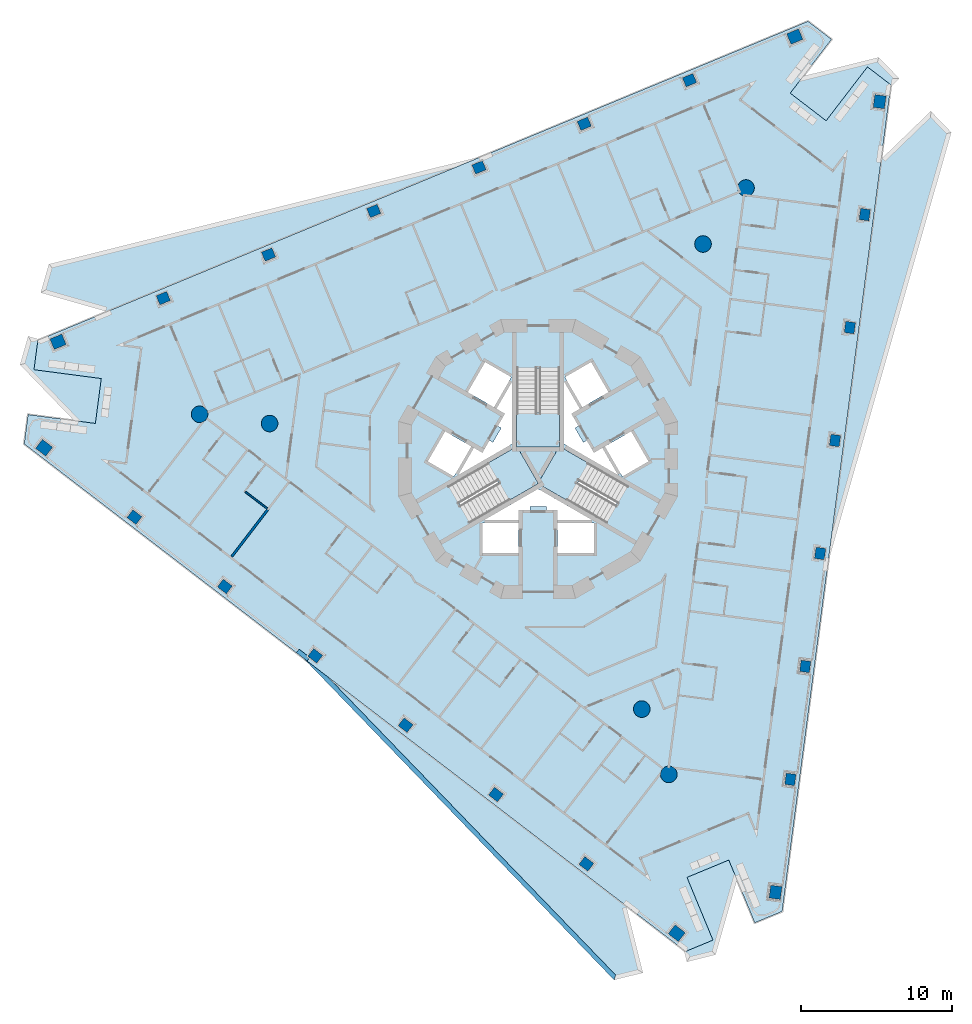
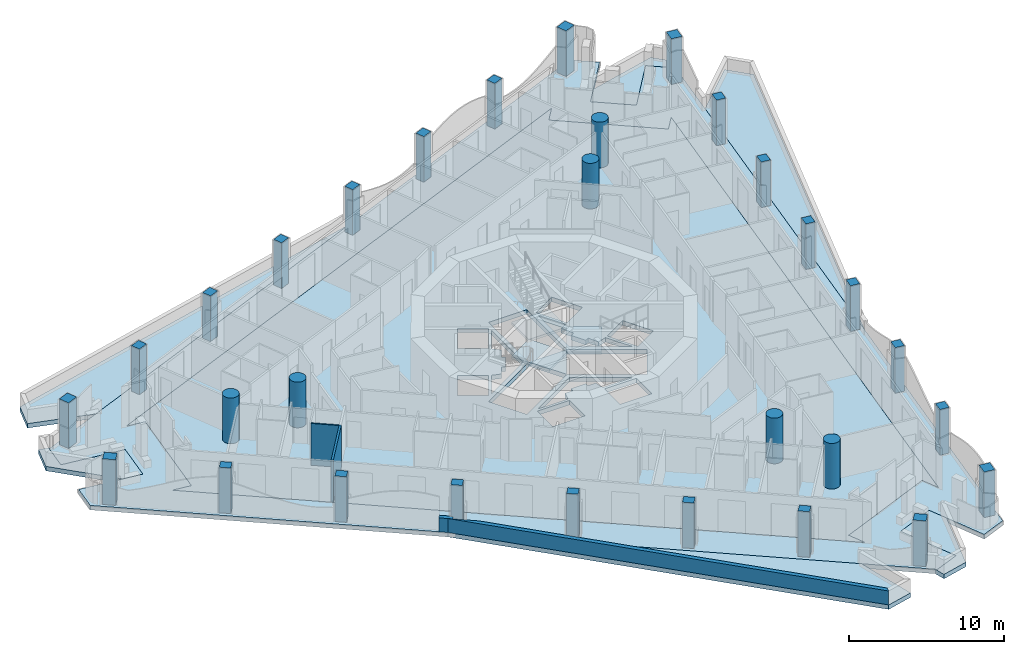
# One storey, part 1 of 19: 30 columns, 12 slabs, 4 walls, 3 elements without a shape of their own.
"""IFC4 building model written with IfcOpenShell, lengths in metres."""

from ifc_helpers import new_model, si_unit, direction, frame, frame_2d, origin, origin_2d, place, context, subcontext, project, spatial, polyline, rectangle, circle, outline, extrude, material, layer, layer_set, material_profile, profile_set, type_object, element, aggregate, save


model = new_model("IFC4")

# Units and contexts
model_context = context("Model", 3, precision=1e-05, world=origin(), true_north=direction((0.0, 1.0)))
body_context = subcontext(model_context, "Body", "Model", "MODEL_VIEW")
ifc_project = project(units=[si_unit("LENGTHUNIT", "METRE"), si_unit("AREAUNIT", "SQUARE_METRE"), si_unit("VOLUMEUNIT", "CUBIC_METRE"), si_unit("PLANEANGLEUNIT", "RADIAN"), si_unit("MASSUNIT", "GRAM", prefix="KILO")], contexts=[model_context])

# Site, building, storey
site_placement = place(None, origin())
site = spatial("IfcSite", under=ifc_project, at=site_placement, CompositionType="ELEMENT")
building_placement = place(site_placement, origin())
building = spatial("IfcBuilding", under=site, at=building_placement, Name="Trine Commons Tower", CompositionType="ELEMENT")
storey_placement = place(building_placement, frame((0.0, 0.0, 124.199951171875)))
storey = spatial("IfcBuildingStorey", under=building, at=storey_placement, Name="L31", CompositionType="ELEMENT", Elevation=124.199951171875)

# Columns
ifc_material_1 = material(Name="Concrete C70/85", Category="concrete")
ifc_material_profile_1 = material_profile(ifc_material_1, rectangle(XDim=0.75, YDim=0.64990234375, at=origin_2d()), Name="RC 750x650")
ifc_profile_set_1 = profile_set([ifc_material_profile_1], Name="Concrete C70/85")
column_type_1 = type_object("IfcColumnType", Name="RC column 750x650, C70/85", PredefinedType="COLUMN", material=ifc_profile_set_1)
for number, where, z_axis, x_axis, name in (
    (1, (83.197021484375, 35.652587890625, -0.349853515625), (0.0, 0.0, 1.0), (-0.793353340291, 0.608761429009, 0.0), "Column PC4-02 L31"),
    (2, (77.20556640625, 40.25, -0.349853515625), (0.0, 0.0, 1.0), (-0.793353340291, 0.608761429009, 0.0), "Column PC4-03 L31"),
    (3, (71.214111328125, 44.847412109375, -0.349853515625), (0.0, 0.0, 1.0), (-0.793353340291, 0.608761429009, 0.0), "Column PC4-04 L31"),
    (4, (65.222900390625, 49.444580078125, -0.349853515625), (0.0, 0.0, 1.0), (-0.793353340291, 0.608761429009, 0.0), "Column PC4-05 L31"),
    (5, (59.2314453125, 54.0419921875, -0.349853515625), (0.0, 0.0, 1.0), (-0.793353340291, 0.608761429009, 0.0), "Column PC4-06 L31"),
    (6, (53.239990234375, 58.639404296875, -0.349853515625), (0.0, 0.0, 1.0), (-0.793353340291, 0.608761429009, 0.0), "Column PC4-07 L31"),
    (7, (55.151123046875, 73.155029296875, -0.349853515625), (0.0, 0.0, 1.0), (0.923879532511, 0.382683432365, 0.0), "Column PC4-10 L31"),
    (8, (62.128173828125, 76.044921875, -0.349853515625), (0.0, 0.0, 1.0), (0.923879532511, 0.382683432365, 0.0), "Column PC4-11 L31"),
    (9, (69.105224609375, 78.93505859375, -0.349853515625), (0.0, 0.0, 1.0), (0.923879532511, 0.382683432365, 0.0), "Column PC4-12 L31"),
    (10, (76.08251953125, 81.8251953125, -0.349853515625), (0.0, 0.0, 1.0), (0.923879532511, 0.382683432365, 0.0), "Column PC4-13 L31"),
    (11, (83.0595703125, 84.715087890625, -0.349853515625), (0.0, 0.0, 1.0), (0.923879532511, 0.382683432365, 0.0), "Column PC4-14 L31"),
    (12, (90.03662109375, 87.60498046875, -0.349853515625), (0.0, 0.0, 1.0), (0.923879532511, 0.382683432365, 0.0), "Column PC4-15 L31"),
    (13, (101.652099609375, 78.692138671875, -0.349853515625), (0.0, 0.0, 1.0), (0.13052619222, 0.991444861374, 0.0), "Column PC4-18 L31"),
    (14, (100.666259765625, 71.204833984375, -0.349853515625), (0.0, 0.0, 1.0), (0.13052619222, 0.991444861374, 0.0), "Column PC4-19 L31"),
    (15, (99.680419921875, 63.717529296875, -0.349853515625), (0.0, 0.0, 1.0), (0.13052619222, 0.991444861374, 0.0), "Column PC4-20 L31"),
    (16, (98.69482421875, 56.230224609375, -0.349853515625), (0.0, 0.0, 1.0), (0.13052619222, 0.991444861374, 0.0), "Column PC4-21 L31"),
    (17, (97.708984375, 48.742919921875, -0.349853515625), (0.0, 0.0, 1.0), (0.13052619222, 0.991444861374, 0.0), "Column PC4-22 L31"),
    (18, (96.723388671875, 41.255615234375, -0.349853515625), (0.0, 0.0, 1.0), (0.13052619222, 0.991444861374, 0.0), "Column PC4-23 L31"),
):
    element("IfcColumn", number, at=place(storey_placement, frame(where, z_axis=z_axis, x_axis=x_axis)), inside=storey, type_object=column_type_1, Name=name, PredefinedType="COLUMN", context=body_context, shape_type="SweptSolid", body=[
        extrude(rectangle(XDim=0.75, YDim=0.64990234375, at=origin_2d()), origin(), (0.0, 0.0, 1.0), 3.949951171875),
    ])
ifc_material_profile_2 = material_profile(ifc_material_1, rectangle(XDim=0.85009765625, YDim=0.75, at=origin_2d()), Name="RC 850x750")
ifc_profile_set_2 = profile_set([ifc_material_profile_2], Name="Concrete C70/85")
column_type_2 = type_object("IfcColumnType", Name="RC column 850x750, C70/85", PredefinedType="COLUMN", material=ifc_profile_set_2)
for number, where, z_axis, x_axis, name in (
    (19, (89.188232421875, 31.055419921875, -0.349853515625), (0.0, 0.0, 1.0), (-0.793353340291, 0.608761429009, 0.0), "Column PC4-01 L31"),
    (20, (47.248779296875, 63.23681640625, -0.349853515625), (0.0, 0.0, 1.0), (-0.793353340291, 0.608761429009, 0.0), "Column PC4-08 L31"),
    (21, (48.174072265625, 70.264892578125, -0.349853515625), (0.0, 0.0, 1.0), (0.923879532511, 0.382683432365, 0.0), "Column PC4-09 L31"),
    (22, (97.013671875, 90.4951171875, -0.349853515625), (0.0, 0.0, 1.0), (0.923879532511, 0.382683432365, 0.0), "Column PC4-16 L31"),
    (23, (102.6376953125, 86.1796875, -0.349853515625), (0.0, 0.0, 1.0), (0.13052619222, 0.991444861374, 0.0), "Column PC4-17 L31"),
    (24, (95.737548828125, 33.768310546875, -0.349853515625), (0.0, 0.0, 1.0), (0.13052619222, 0.991444861374, 0.0), "Column PC4-24 L31"),
):
    element("IfcColumn", number, at=place(storey_placement, frame(where, z_axis=z_axis, x_axis=x_axis)), inside=storey, type_object=column_type_2, Name=name, PredefinedType="COLUMN", context=body_context, shape_type="SweptSolid", body=[
        extrude(rectangle(XDim=0.85009765625, YDim=0.75, at=origin_2d()), origin(), (0.0, 0.0, 1.0), 3.949951171875),
    ])
ifc_material_profile_3 = material_profile(ifc_material_1, circle(Radius=0.550048828125, at=origin_2d()), Name="RC round 1100")
ifc_profile_set_3 = profile_set([ifc_material_profile_3], Name="Concrete C70/85")
column_type_3 = type_object("IfcColumnType", Name="RC round column 1100 mm, C70/85", PredefinedType="COLUMN", material=ifc_profile_set_3)
for number, where, z_axis, x_axis, name in (
    (25, (86.87109375, 45.912109375, -0.349853515625), (0.0, 0.0, 1.0), (1.0, 0.0, 0.0), "Column WC4-1 L31"),
    (26, (88.66259765625, 41.58642578125, -0.349853515625), (0.0, 0.0, 1.0), (1.0, 0.0, 0.0), "Column WC4-2 L31"),
    (27, (90.93017578125, 76.744384765625, -0.349853515625), (0.0, 0.0, 1.0), (1.0, 0.0, 0.0), "Column WC4-3 L31"),
    (28, (93.7802734375, 80.458984375, -0.349853515625), (0.0, 0.0, 1.0), (1.0, 0.0, 0.0), "Column WC4-4 L31"),
    (29, (62.198974609375, 64.843505859375, -0.349853515625), (0.0, 0.0, 1.0), (1.0, 0.0, 0.0), "Column WC4-5 L31"),
    (30, (57.556884765625, 65.45458984375, -0.349853515625), (0.0, 0.0, 1.0), (1.0, 0.0, 0.0), "Column WC4-6 L31"),
):
    element("IfcColumn", number, at=place(storey_placement, frame(where, z_axis=z_axis, x_axis=x_axis)), inside=storey, type_object=column_type_3, Name=name, PredefinedType="COLUMN", context=body_context, shape_type="SweptSolid", body=[
        extrude(circle(Radius=0.550048828125, at=origin_2d()), origin(), (0.0, 0.0, 1.0), 3.949951171875),
    ])

# Slabs
ifc_material_2 = material(Name="Concrete C50/60", Category="concrete")
ifc_layer_1 = layer(ifc_material_2, 0.35009765625)
ifc_layer_set_1 = layer_set([ifc_layer_1], Name="Concrete C50/60")
slab_type_1 = type_object("IfcSlabType", Name="Loggia slab 350 mm, C50/60", PredefinedType="FLOOR", material=ifc_layer_set_1)
slab_1_placement = place(storey_placement, frame((0.0, 0.0, -0.349853515625)))
element("IfcSlab", 31, at=slab_1_placement, inside=storey, type_object=slab_type_1, Name="Loggia slab L31", PredefinedType="FLOOR", context=body_context, shape_type="SweptSolid", body=[
    extrude(outline(polyline([(96.17578125, 32.500244140625), (103.38916015625, 87.291015625), (101.8310546875, 88.48681640625), (99.091552734375, 84.91650390625), (96.71142578125, 86.742919921875), (99.450927734375, 90.31298828125), (97.892578125, 91.508544921875), (46.835693359375, 70.360107421875), (46.579345703125, 68.412841796875), (51.041015625, 67.825439453125), (50.6494140625, 64.85107421875), (46.187744140625, 65.4384765625), (45.931396484375, 63.4912109375), (89.77490234375, 29.848876953125), (91.589599609375, 30.6005859375), (89.867431640625, 34.758056640625), (92.63916015625, 35.906005859375), (94.361328125, 31.74853515625), (96.17578125, 32.500244140625)]), holes=[polyline([(87.24658203125, 34.814208984375), (86.731689453125, 36.056884765625), (93.93798828125, 39.041748046875), (94.452880859375, 37.799072265625), (100.353271484375, 82.618408203125), (99.53466796875, 81.551513671875), (93.346435546875, 86.2998046875), (94.165283203125, 87.366943359375), (52.400146484375, 70.067138671875), (53.733642578125, 69.8916015625), (52.715576171875, 62.158447265625), (51.382080078125, 62.333984375), (87.24658203125, 34.814208984375)])]), origin(), (0.0, 0.0, 1.0), 0.349853515625),
])
ifc_layer_2 = layer(ifc_material_2, 0.35009765625)
ifc_layer_set_2 = layer_set([ifc_layer_2], Name="Concrete C50/60")
slab_type_2 = type_object("IfcSlabType", Name="PT flat slab 350 mm, C50/60", PredefinedType="FLOOR", material=ifc_layer_set_2)
slab_2_placement = place(storey_placement, frame((0.0, 0.0, -0.349853515625)))
element("IfcSlab", 32, at=slab_2_placement, inside=storey, type_object=slab_type_2, Name="Floor slab L31", PredefinedType="FLOOR", context=body_context, shape_type="SweptSolid", body=[
    extrude(outline(polyline([(51.382080078125, 62.333984375), (87.24658203125, 34.814208984375), (86.731689453125, 36.056884765625), (93.93798828125, 39.041748046875), (94.452880859375, 37.799072265625), (100.353271484375, 82.618408203125), (99.53466796875, 81.551513671875), (93.346435546875, 86.2998046875), (94.165283203125, 87.366943359375), (52.400146484375, 70.067138671875), (53.733642578125, 69.8916015625), (52.715576171875, 62.158447265625), (51.382080078125, 62.333984375)]), holes=[polyline([(78.699951171875, 56.25), (78.699951171875, 58.25), (76.300048828125, 58.25), (76.300048828125, 56.25), (78.699951171875, 56.25)]), polyline([(80.0, 60.8544921875), (84.4755859375, 58.2705078125), (85.900390625, 60.73876953125), (81.425048828125, 63.32275390625), (81.425048828125, 68.490478515625), (78.574951171875, 68.490478515625), (78.574951171875, 63.32275390625), (74.099609375, 60.73876953125), (75.5244140625, 58.2705078125), (80.0, 60.8544921875)]), polyline([(73.83740234375, 64.325927734375), (72.687255859375, 62.333984375), (74.41943359375, 61.333984375), (75.5693359375, 63.325927734375), (73.83740234375, 64.325927734375)]), polyline([(76.381103515625, 63.031005859375), (75.742919921875, 63.22607421875), (74.7099609375, 61.43798828125), (78.27490234375, 63.49609375), (78.27490234375, 67.612060546875), (77.242919921875, 65.823974609375), (77.73095703125, 65.368896484375), (77.3310546875, 64.676025390625), (77.555908203125, 64.5458984375), (77.006103515625, 63.593994140625), (76.781005859375, 63.722900390625), (76.381103515625, 63.031005859375)]), polyline([(76.4873046875, 68.916015625), (75.33740234375, 66.924072265625), (77.0693359375, 65.924072265625), (78.219482421875, 67.916015625), (76.4873046875, 68.916015625)]), polyline([(83.699951171875, 56.25), (83.699951171875, 58.25), (81.300048828125, 58.25), (81.300048828125, 56.25), (83.699951171875, 56.25)]), polyline([(81.14990234375, 59.10009765625), (81.300048828125, 58.449951171875), (83.56494140625, 58.449951171875), (80.0, 60.508056640625), (76.43505859375, 58.449951171875), (78.699951171875, 58.449951171875), (78.85009765625, 59.10009765625), (79.449951171875, 59.10009765625), (79.449951171875, 59.360107421875), (80.550048828125, 59.360107421875), (80.550048828125, 59.10009765625), (81.14990234375, 59.10009765625)]), polyline([(86.16259765625, 64.325927734375), (84.4306640625, 63.325927734375), (85.58056640625, 61.333984375), (87.312744140625, 62.333984375), (86.16259765625, 64.325927734375)]), polyline([(83.243896484375, 63.738037109375), (82.993896484375, 63.593994140625), (82.444091796875, 64.5458984375), (82.72705078125, 64.7099609375), (82.281005859375, 65.549072265625), (82.757080078125, 65.823974609375), (81.72509765625, 67.612060546875), (81.72509765625, 63.49609375), (85.2900390625, 61.43798828125), (84.257080078125, 63.22607421875), (83.618896484375, 63.031005859375), (83.243896484375, 63.738037109375)]), polyline([(84.66259765625, 66.924072265625), (83.5126953125, 68.916015625), (81.780517578125, 67.916015625), (82.9306640625, 65.924072265625), (84.66259765625, 66.924072265625)])]), origin(), (0.0, 0.0, 1.0), 0.349853515625),
])
slab_3_placement = place(storey_placement, frame((0.0, 0.0, -0.349853515625)))
element("IfcSlab", 33, at=slab_3_placement, inside=storey, type_object=slab_type_2, Name="Floor slab L31 2", PredefinedType="FLOOR", context=body_context, shape_type="SweptSolid", body=[
    extrude(outline(polyline([(78.61328125, 63.300537109375), (80.0, 60.89892578125), (81.38671875, 63.300537109375), (78.61328125, 63.300537109375)])), origin(), (0.0, 0.0, 1.0), 0.349853515625),
])
ifc_layer_3 = layer(ifc_material_2, 0.35009765625)
ifc_layer_set_3 = layer_set([ifc_layer_3], Name="Concrete C50/60")
slab_type_3 = type_object("IfcSlabType", Name="Roof slab 350 mm, C50/60", PredefinedType="ROOF", material=ifc_layer_set_3)
slab_4_placement = place(storey_placement, frame((0.0, 0.0, -0.349853515625)))
element("IfcSlab", 34, at=slab_4_placement, inside=storey, type_object=slab_type_3, Name="Roof slab L31 1", PredefinedType="ROOF", context=body_context, shape_type="SweptSolid", body=[
    extrude(outline(polyline([(49.2333984375, 65.03759765625), (50.6494140625, 64.85107421875), (51.041015625, 67.825439453125), (46.579345703125, 68.412841796875), (46.835693359375, 70.360107421875), (46.962890625, 70.412841796875), (46.1943359375, 70.63330078125), (45.653076171875, 68.7451171875), (49.2333984375, 65.03759765625)])), origin(), (0.0, 0.0, 1.0), 0.349853515625),
])
slab_5_placement = place(storey_placement, frame((0.0, 0.0, -0.349853515625)))
element("IfcSlab", 35, at=slab_5_placement, inside=storey, type_object=slab_type_3, Name="Roof slab L31 2", PredefinedType="ROOF", context=body_context, shape_type="SweptSolid", body=[
    extrude(outline(polyline([(51.331298828125, 72.222412109375), (76.33251953125, 82.578125), (47.562744140625, 75.405029296875), (47.021240234375, 73.516845703125), (51.346923828125, 72.276611328125), (51.331298828125, 72.222412109375)])), origin(), (0.0, 0.0, 1.0), 0.349853515625),
])
slab_6_placement = place(storey_placement, frame((0.0, 0.0, -0.349853515625)))
element("IfcSlab", 36, at=slab_6_placement, inside=storey, type_object=slab_type_3, Name="Roof slab L31 3", PredefinedType="ROOF", context=body_context, shape_type="SweptSolid", body=[
    extrude(outline(polyline([(85.91455078125, 32.81103515625), (64.44580078125, 49.284912109375), (85.04248046875, 27.9560546875), (86.948486328125, 28.43115234375), (85.85986328125, 32.797607421875), (85.91455078125, 32.81103515625)])), origin(), (0.0, 0.0, 1.0), 0.349853515625),
])
slab_7_placement = place(storey_placement, frame((0.0, 0.0, -0.349853515625)))
element("IfcSlab", 37, at=slab_7_placement, inside=storey, type_object=slab_type_3, Name="Roof slab L31 4", PredefinedType="ROOF", context=body_context, shape_type="SweptSolid", body=[
    extrude(outline(polyline([(91.764892578125, 29.632080078125), (93.185791015625, 34.58642578125), (92.63916015625, 35.906005859375), (89.867431640625, 34.758056640625), (91.589599609375, 30.6005859375), (89.77490234375, 29.848876953125), (89.666015625, 29.9326171875), (89.859375, 29.156982421875), (91.764892578125, 29.632080078125)])), origin(), (0.0, 0.0, 1.0), 0.349853515625),
])
slab_8_placement = place(storey_placement, frame((0.0, 0.0, -0.349853515625)))
element("IfcSlab", 38, at=slab_8_placement, inside=storey, type_object=slab_type_3, Name="Roof slab L31 5", PredefinedType="ROOF", context=body_context, shape_type="SweptSolid", body=[
    extrude(outline(polyline([(97.580810546875, 87.8759765625), (96.71142578125, 86.742919921875), (99.091552734375, 84.91650390625), (101.8310546875, 88.48681640625), (103.38916015625, 87.291015625), (103.37109375, 87.154541015625), (103.9462890625, 87.7099609375), (102.581787109375, 89.122802734375), (97.580810546875, 87.8759765625)])), origin(), (0.0, 0.0, 1.0), 0.349853515625),
])
slab_9_placement = place(storey_placement, frame((0.0, 0.0, -0.349853515625)))
element("IfcSlab", 39, at=slab_9_placement, inside=storey, type_object=slab_type_3, Name="Roof slab L31 6", PredefinedType="ROOF", context=body_context, shape_type="SweptSolid", body=[
    extrude(outline(polyline([(102.75390625, 82.466552734375), (99.221923828125, 55.63720703125), (107.394775390625, 84.13916015625), (106.0302734375, 85.552001953125), (102.793212890625, 82.426025390625), (102.75390625, 82.466552734375)])), origin(), (0.0, 0.0, 1.0), 0.349853515625),
])

# Stair, slab
stair_type = type_object("IfcStairType", Name="Exit stair, dog-leg, 24 risers of 150 mm", PredefinedType="HALF_TURN_STAIR", material=ifc_material_2)
stair_1_placement = place(storey_placement, origin())
stair_1 = element("IfcStair", 40, at=stair_1_placement, inside=storey, type_object=stair_type, Name="L31 Exit stair ST1B", PredefinedType="HALF_TURN_STAIR")
ifc_layer_4 = layer(ifc_material_2, 0.199951171875)
ifc_layer_set_4 = layer_set([ifc_layer_4], Name="Concrete C50/60")
slab_type_4 = type_object("IfcSlabType", Name="Stair landing slab 200 mm, C50/60", PredefinedType="LANDING", material=ifc_layer_set_4)
slab_10_placement = place(storey_placement, frame((0.0, 0.0, 1.60009765625)))
slab_10 = element("IfcSlab", 41, at=slab_10_placement, type_object=slab_type_4, Name="ST1B landing 1", PredefinedType="LANDING", context=body_context, shape_type="SweptSolid", body=[
    extrude(outline(polyline([(78.574951171875, 65.570556640625), (78.574951171875, 63.300537109375), (81.425048828125, 63.300537109375), (81.425048828125, 65.570556640625), (78.574951171875, 65.570556640625)])), origin(), (0.0, 0.0, 1.0), 0.199951171875),
])
aggregate(stair_1, [slab_10])

stair_2_placement = place(storey_placement, origin())
stair_2 = element("IfcStair", 42, at=stair_2_placement, inside=storey, type_object=stair_type, Name="L31 Exit stair ST2B", PredefinedType="HALF_TURN_STAIR")
slab_11_placement = place(storey_placement, frame((0.0, 0.0, 1.60009765625)))
slab_11 = element("IfcSlab", 43, at=slab_11_placement, type_object=slab_type_4, Name="ST2B landing 1", PredefinedType="LANDING", context=body_context, shape_type="SweptSolid", body=[
    extrude(outline(polyline([(78.05322265625, 59.730712890625), (80.019287109375, 60.86572265625), (78.59423828125, 63.333740234375), (76.628173828125, 62.19873046875), (78.05322265625, 59.730712890625)])), origin(), (0.0, 0.0, 1.0), 0.199951171875),
])
aggregate(stair_2, [slab_11])

stair_3_placement = place(storey_placement, origin())
stair_3 = element("IfcStair", 44, at=stair_3_placement, inside=storey, type_object=stair_type, Name="L31 Exit stair ST3B", PredefinedType="HALF_TURN_STAIR")
slab_12_placement = place(storey_placement, frame((0.0, 0.0, 1.60009765625)))
slab_12 = element("IfcSlab", 45, at=slab_12_placement, type_object=slab_type_4, Name="ST3B landing 1", PredefinedType="LANDING", context=body_context, shape_type="SweptSolid", body=[
    extrude(outline(polyline([(83.371826171875, 62.19873046875), (81.40576171875, 63.333740234375), (79.980712890625, 60.86572265625), (81.94677734375, 59.730712890625), (83.371826171875, 62.19873046875)])), origin(), (0.0, 0.0, 1.0), 0.199951171875),
])
aggregate(stair_3, [slab_12])

# Walls
ifc_material_3 = material(Name="Limestone, honed", Category="masonry")
ifc_layer_5 = layer(ifc_material_3, 0.300048828125)
ifc_layer_set_5 = layer_set([ifc_layer_5], Name="Limestone, honed")
wall_type_1 = type_object("IfcWallType", Name="Stone parapet 300", PredefinedType="PARAPET", material=ifc_layer_set_5)
wall_1_placement = place(storey_placement, origin())
element("IfcWall", 46, at=wall_1_placement, inside=storey, type_object=wall_type_1, Name="Sliver roof parapet L30 3.1", PredefinedType="PARAPET", context=body_context, shape_type="SweptSolid", body=[
    extrude(outline(polyline([(64.44580078125, 49.284912109375), (85.04248046875, 27.9560546875), (85.13818359375, 28.2890625), (66.055908203125, 48.04931640625), (64.44580078125, 49.284912109375)])), origin(), (0.0, 0.0, 1.0), 1.10009765625),
])
wall_2_placement = place(storey_placement, origin())
element("IfcWall", 47, at=wall_2_placement, inside=storey, type_object=wall_type_1, Name="Sliver roof parapet extension L30 3.X1", PredefinedType="PARAPET", context=body_context, shape_type="SweptSolid", body=[
    extrude(outline(polyline([(64.15234375, 49.887939453125), (63.9697265625, 49.64990234375), (64.68359375, 49.10205078125), (64.8662109375, 49.340087890625), (64.15234375, 49.887939453125)])), origin(), (0.0, 0.0, 1.0), 1.10009765625),
])
ifc_material_4 = material(Name="Gypsum plasterboard on steel stud", Category="steel")
ifc_layer_6 = layer(ifc_material_4, 0.14990234375)
ifc_layer_set_6 = layer_set([ifc_layer_6], Name="Gypsum plasterboard on steel stud")
wall_type_2 = type_object("IfcWallType", Name="Unit and corridor wall 150 mm, EI 60", PredefinedType="PARTITIONING", material=ifc_layer_set_6)
wall_3_placement = place(storey_placement, frame((59.682373046875, 56.0146484375, 0.0), z_axis=(0.0, 0.0, 1.0), x_axis=(0.608733348698, 0.793374886282, 0.0)))
element("IfcWall", 48, at=wall_3_placement, inside=storey, type_object=wall_type_2, Name="Partition 012", PredefinedType="PARTITIONING", context=body_context, shape_type="SweptSolid", body=[
    extrude(rectangle(XDim=3.973388671875, YDim=0.14990234375, at=frame_2d((1.98681640625, 0.0))), origin(), (0.0, 0.0, 1.0), 3.300048828125),
])
ifc_layer_7 = layer(ifc_material_4, 0.10009765625)
ifc_layer_set_7 = layer_set([ifc_layer_7], Name="Gypsum plasterboard on steel stud")
wall_type_3 = type_object("IfcWallType", Name="Unit partition 100 mm, no rating", PredefinedType="PARTITIONING", material=ifc_layer_set_7)
wall_4_placement = place(storey_placement, frame((60.591796875, 60.320556640625, 0.0), z_axis=(0.0, 0.0, 1.0), x_axis=(0.793369431695, -0.608740457709, 0.0)))
element("IfcWall", 49, at=wall_4_placement, inside=storey, type_object=wall_type_3, Name="Partition 015", PredefinedType="PARTITIONING", context=body_context, shape_type="SweptSolid", body=[
    extrude(rectangle(XDim=1.82470703125, YDim=0.10009765625, at=frame_2d((0.912353515625, 0.0))), origin(), (0.0, 0.0, 1.0), 3.300048828125),
])

save(model, "model.ifc")
